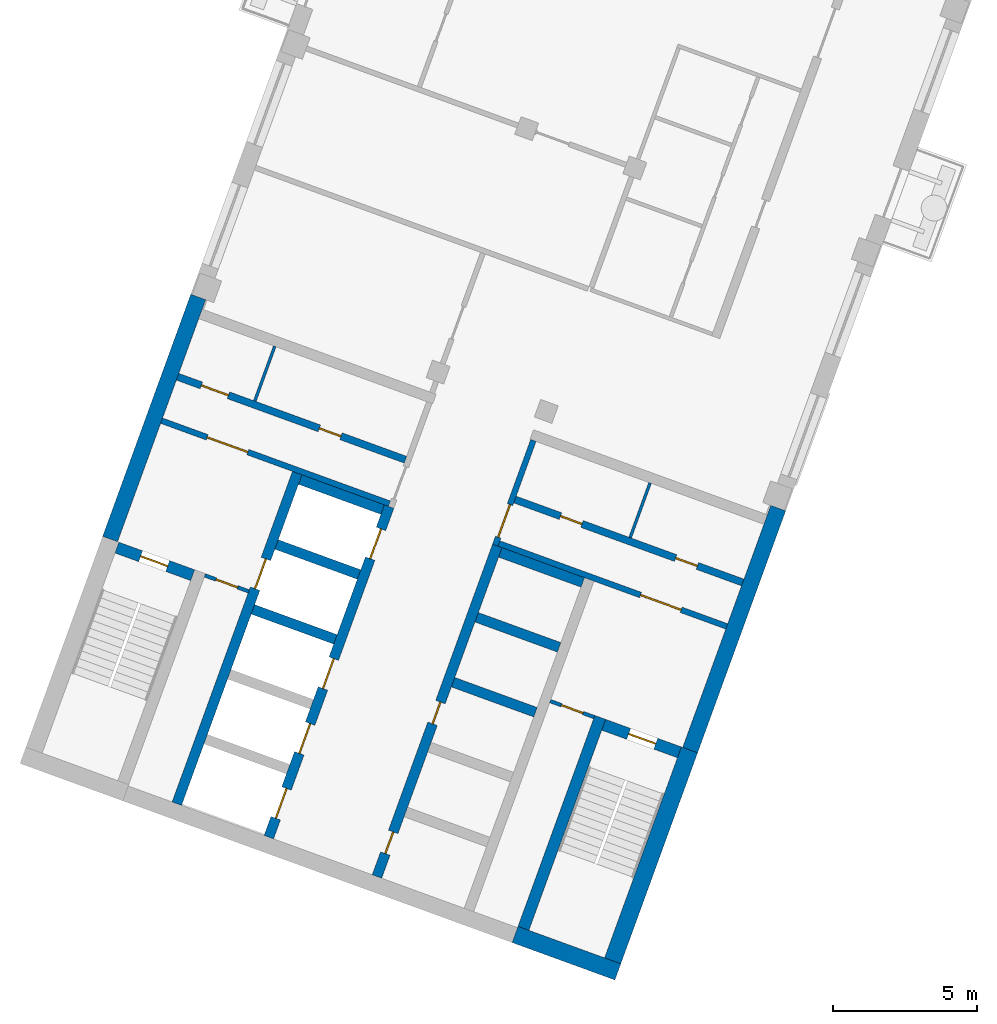
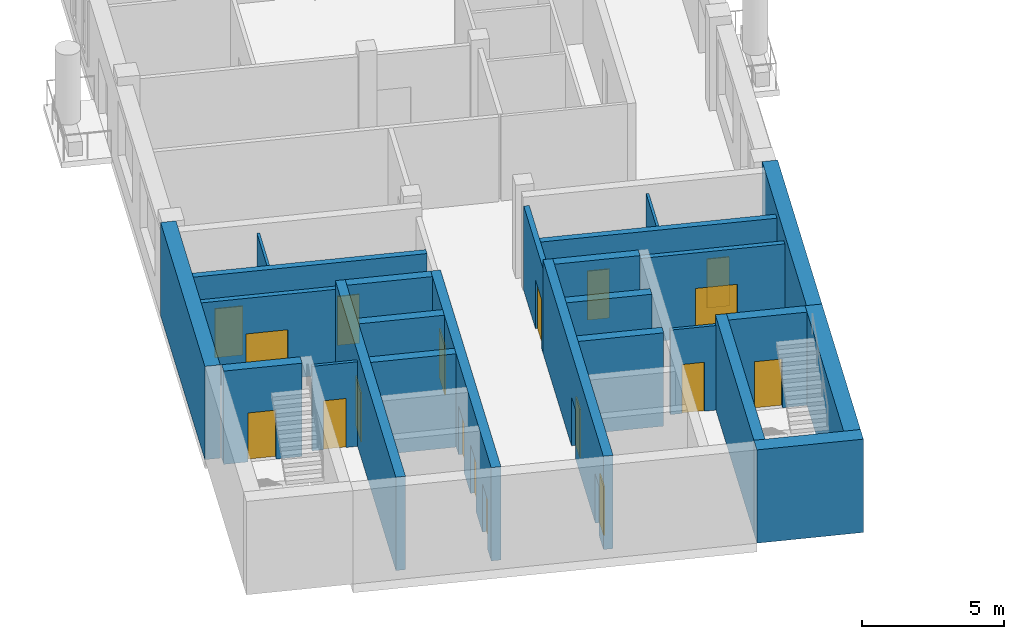
# One storey, part 2 of 11: 25 walls, 18 doors, 18 openings.
"""IFC4 building model written with IfcOpenShell, lengths in metres."""

from ifc_helpers import new_model, si_unit, direction, frame, frame_2d, origin, place, context, subcontext, project, spatial, rectangle, extrude, material, layer, layer_set, type_object, element, fill, save


model = new_model("IFC4")

# Units and contexts
model_context = context("Model", 3, precision=1e-05, world=origin(), true_north=direction((0.0, 1.0)))
body_context = subcontext(model_context, "Body", "Model", "MODEL_VIEW")
ifc_project = project(units=[si_unit("LENGTHUNIT", "METRE"), si_unit("AREAUNIT", "SQUARE_METRE"), si_unit("VOLUMEUNIT", "CUBIC_METRE"), si_unit("PLANEANGLEUNIT", "RADIAN"), si_unit("MASSUNIT", "GRAM", prefix="KILO")], contexts=[model_context])

# Site, building, storey
site_placement = place(None, origin())
site = spatial("IfcSite", under=ifc_project, at=site_placement, CompositionType="ELEMENT")
building_placement = place(site_placement, origin())
building = spatial("IfcBuilding", under=site, at=building_placement, Name="Skarvind Civic Tower", CompositionType="ELEMENT")
storey_placement = place(building_placement, frame((0.0, 0.0, 142.5)))
storey = spatial("IfcBuildingStorey", under=building, at=storey_placement, Name="L33", CompositionType="ELEMENT", Elevation=142.5)

# Wall, opening, door
ifc_material_1 = material(Name="Fire-rated masonry partition", Category="masonry")
ifc_layer_1 = layer(ifc_material_1, 0.199951171875)
ifc_layer_set_1 = layer_set([ifc_layer_1], Name="Core enclosure wall 200")
wall_type_1 = type_object("IfcWallType", Name="Core enclosure wall 200", PredefinedType="PARTITIONING", material=ifc_layer_set_1)
wall_1_placement = place(storey_placement, frame((23.482666015625, 96.68798828125, 0.0), z_axis=(0.0, 0.0, 1.0), x_axis=(0.939691007314, -0.342024576271, 0.0)))
wall_1 = element("IfcWall", 1, at=wall_1_placement, inside=storey, type_object=wall_type_1, Name="Core wall C2", PredefinedType="PARTITIONING", context=body_context, shape_type="SweptSolid", body=[
    extrude(rectangle(XDim=8.425048828125, YDim=0.199951171875, at=frame_2d((4.21240234375, 0.0))), origin(), (0.0, 0.0, 1.0), 3.625),
])
opening_1_placement = place(wall_1_placement, frame((1.6875, 0.0, 0.0)))
opening_1 = element("IfcOpeningElement", 2, at=opening_1_placement, cuts=wall_1, Name="Opening D-L33-C2-08", PredefinedType="OPENING", context=body_context, shape_type="SweptSolid", body=[
    extrude(rectangle(XDim=1.5, YDim=2.10009765625, at=frame_2d((0.75, 1.050048828125))), frame((0.0, 0.10986328125, 0.0), z_axis=(0.0, -1.0, 0.0), x_axis=(1.0, 0.0, 0.0)), (0.0, 0.0, 1.0), 0.219970703125),
])
ifc_material_2 = material(Name="Fire-rated steel door", Category="steel")
door_type_1 = type_object("IfcDoorType", Name="Fire door 1500", OperationType="NOTDEFINED", PredefinedType="DOOR", material=ifc_material_2)
door_1_placement = place(opening_1_placement, origin())
door_1 = element("IfcDoor", 3, at=door_1_placement, inside=storey, type_object=door_type_1, Name="Fire door", OperationType="DOUBLE_DOOR_SINGLE_SWING", OverallHeight=2.10009765625, OverallWidth=1.5, PredefinedType="DOOR", context=body_context, shape_type="SweptSolid", body=[
    extrude(rectangle(XDim=1.5, YDim=2.10009765625, at=frame_2d((0.75, 1.050048828125))), frame((0.0, 0.02490234375, 0.0), z_axis=(0.0, -1.0, 0.0), x_axis=(1.0, 0.0, 0.0)), (0.0, 0.0, 1.0), 0.050048828125),
])
fill(opening_1, door_1)

wall_2_placement = place(storey_placement, frame((36.402587890625, 96.0029296875, 0.0), z_axis=(0.0, 0.0, 1.0), x_axis=(-0.342041503764, -0.939684845947, 0.0)))
wall_2 = element("IfcWall", 4, at=wall_2_placement, inside=storey, type_object=wall_type_1, Name="Core wall C2", PredefinedType="PARTITIONING", context=body_context, shape_type="SweptSolid", body=[
    extrude(rectangle(XDim=3.875, YDim=0.199951171875, at=frame_2d((1.9375, 0.0))), origin(), (0.0, 0.0, 1.0), 3.625),
])
opening_2_placement = place(wall_2_placement, frame((2.375, 0.0, 0.0)))
opening_2 = element("IfcOpeningElement", 5, at=opening_2_placement, cuts=wall_2, Name="Opening D-L33-C2-13", PredefinedType="OPENING", context=body_context, shape_type="SweptSolid", body=[
    extrude(rectangle(XDim=1.199951171875, YDim=2.10009765625, at=frame_2d((0.60009765625, 1.050048828125))), frame((0.0, 0.10986328125, 0.0), z_axis=(0.0, -1.0, 0.0), x_axis=(1.0, 0.0, 0.0)), (0.0, 0.0, 1.0), 0.219970703125),
])
door_type_2 = type_object("IfcDoorType", Name="Core lobby door 1200", OperationType="NOTDEFINED", PredefinedType="DOOR", material=ifc_material_2)
door_2_placement = place(opening_2_placement, origin())
door_2 = element("IfcDoor", 6, at=door_2_placement, inside=storey, type_object=door_type_2, Name="Fire door", OperationType="DOUBLE_DOOR_SINGLE_SWING", OverallHeight=2.10009765625, OverallWidth=1.199951171875, PredefinedType="DOOR", context=body_context, shape_type="SweptSolid", body=[
    extrude(rectangle(XDim=1.199951171875, YDim=2.10009765625, at=frame_2d((0.60009765625, 1.050048828125))), frame((0.0, 0.02490234375, 0.0), z_axis=(0.0, -1.0, 0.0), x_axis=(1.0, 0.0, 0.0)), (0.0, 0.0, 1.0), 0.050048828125),
])
fill(opening_2, door_2)

wall_3_placement = place(storey_placement, frame((35.205322265625, 92.42138671875, 0.0), z_axis=(0.0, 0.0, 1.0), x_axis=(0.939691007314, -0.342024576271, 0.0)))
wall_3 = element("IfcWall", 7, at=wall_3_placement, inside=storey, type_object=wall_type_1, Name="Core wall C2", PredefinedType="PARTITIONING", context=body_context, shape_type="SweptSolid", body=[
    extrude(rectangle(XDim=8.425048828125, YDim=0.199951171875, at=frame_2d((4.21240234375, 0.0))), origin(), (0.0, 0.0, 1.0), 3.625),
])
opening_3_placement = place(wall_3_placement, frame((5.237548828125, 0.0, 0.0)))
opening_3 = element("IfcOpeningElement", 8, at=opening_3_placement, cuts=wall_3, Name="Opening D-L33-C2-14", PredefinedType="OPENING", context=body_context, shape_type="SweptSolid", body=[
    extrude(rectangle(XDim=1.5, YDim=2.10009765625, at=frame_2d((0.75, 1.050048828125))), frame((0.0, 0.10986328125, 0.0), z_axis=(0.0, -1.0, 0.0), x_axis=(1.0, 0.0, 0.0)), (0.0, 0.0, 1.0), 0.219970703125),
])
door_3_placement = place(opening_3_placement, origin())
door_3 = element("IfcDoor", 9, at=door_3_placement, inside=storey, type_object=door_type_1, Name="Fire door", OperationType="DOUBLE_DOOR_SINGLE_SWING", OverallHeight=2.10009765625, OverallWidth=1.5, PredefinedType="DOOR", context=body_context, shape_type="SweptSolid", body=[
    extrude(rectangle(XDim=1.5, YDim=2.10009765625, at=frame_2d((0.75, 1.050048828125))), frame((0.0, 0.02490234375, 0.0), z_axis=(0.0, -1.0, 0.0), x_axis=(1.0, 0.0, 0.0)), (0.0, 0.0, 1.0), 0.050048828125),
])
fill(opening_3, door_3)

# Walls
ifc_material_3 = material(Name="Fire-rated plasterboard partition")
ifc_layer_2 = layer(ifc_material_3, 0.10009765625)
ifc_layer_set_2 = layer_set([ifc_layer_2], Name="Core partition wall 100")
wall_type_2 = type_object("IfcWallType", Name="Core partition wall 100", PredefinedType="PARTITIONING", material=ifc_layer_set_2)
wall_4_placement = place(storey_placement, frame((26.7216796875, 97.371337890625, 0.0), z_axis=(0.0, 0.0, 1.0), x_axis=(0.342004391282, 0.939698353911, 0.0)))
element("IfcWall", 10, at=wall_4_placement, inside=storey, type_object=wall_type_2, Name="Core wall C2", PredefinedType="PARTITIONING", context=body_context, shape_type="SweptSolid", body=[
    extrude(rectangle(XDim=2.025146484375, YDim=0.10009765625, at=frame_2d((1.0126953125, 0.0))), origin(), (0.0, 0.0, 1.0), 3.625),
])
wall_5_placement = place(storey_placement, frame((40.457275390625, 94.527099609375, 0.0), z_axis=(0.0, 0.0, 1.0), x_axis=(-0.342043138314, -0.939684250976, 0.0)))
element("IfcWall", 11, at=wall_5_placement, inside=storey, type_object=wall_type_2, Name="Core wall C2", PredefinedType="PARTITIONING", context=body_context, shape_type="SweptSolid", body=[
    extrude(rectangle(XDim=2.02490234375, YDim=0.10009765625, at=frame_2d((1.012451171875, 0.0))), origin(), (0.0, 0.0, 1.0), 3.625),
])

# Wall, openings, doors
ifc_material_4 = material(Name="Concrete C60", Category="concrete")
ifc_layer_3 = layer(ifc_material_4, 0.35009765625)
ifc_layer_set_3 = layer_set([ifc_layer_3], Name="Core wall 350 C60")
wall_type_3 = type_object("IfcWallType", Name="Core wall 350 C60", PredefinedType="SHEAR", material=ifc_layer_set_3)
wall_6_placement = place(storey_placement, frame((30.966552734375, 80.84814453125, 0.0), z_axis=(0.0, 0.0, 1.0), x_axis=(0.34201563943, 0.939694260058, 0.0)))
wall_6 = element("IfcWall", 12, at=wall_6_placement, inside=storey, type_object=wall_type_3, Name="Core wall C2 south lift row front L33", PredefinedType="SHEAR", context=body_context, shape_type="SweptSolid", body=[
    extrude(rectangle(XDim=12.22509765625, YDim=0.35009765625, at=frame_2d((6.112548828125, 0.0))), origin(), (0.0, 0.0, 1.0), 4.0),
])
opening_4_placement = place(wall_6_placement, frame((0.85009765625, 0.0, 0.0)))
opening_4 = element("IfcOpeningElement", 13, at=opening_4_placement, cuts=wall_6, Name="Opening D-L33-C2-05", PredefinedType="OPENING", context=body_context, shape_type="SweptSolid", body=[
    extrude(rectangle(XDim=0.800048828125, YDim=2.10009765625, at=frame_2d((0.39990234375, 1.050048828125))), frame((0.0, 0.18505859375, 0.0), z_axis=(0.0, -1.0, 0.0), x_axis=(1.0, 0.0, 0.0)), (0.0, 0.0, 1.0), 0.3701171875),
])
opening_5_placement = place(wall_6_placement, frame((5.64990234375, 0.0, 0.0)))
opening_5 = element("IfcOpeningElement", 14, at=opening_5_placement, cuts=wall_6, Name="Opening D-L33-C2-06", PredefinedType="OPENING", context=body_context, shape_type="SweptSolid", body=[
    extrude(rectangle(XDim=0.800048828125, YDim=2.10009765625, at=frame_2d((0.39990234375, 1.050048828125))), frame((0.0, 0.18505859375, 0.0), z_axis=(0.0, -1.0, 0.0), x_axis=(1.0, 0.0, 0.0)), (0.0, 0.0, 1.0), 0.3701171875),
])
door_type_3 = type_object("IfcDoorType", Name="Core riser door 800", OperationType="NOTDEFINED", PredefinedType="DOOR", material=ifc_material_2)
door_4_placement = place(opening_4_placement, origin())
door_4 = element("IfcDoor", 15, at=door_4_placement, inside=storey, type_object=door_type_3, Name="Riser door", OperationType="SINGLE_SWING_LEFT", OverallHeight=2.10009765625, OverallWidth=0.800048828125, PredefinedType="DOOR", context=body_context, shape_type="SweptSolid", body=[
    extrude(rectangle(XDim=0.800048828125, YDim=2.10009765625, at=frame_2d((0.39990234375, 1.050048828125))), frame((0.0, 0.02490234375, 0.0), z_axis=(0.0, -1.0, 0.0), x_axis=(1.0, 0.0, 0.0)), (0.0, 0.0, 1.0), 0.050048828125),
])
fill(opening_4, door_4)
door_5_placement = place(opening_5_placement, origin())
door_5 = element("IfcDoor", 16, at=door_5_placement, inside=storey, type_object=door_type_3, Name="Riser door", OperationType="SINGLE_SWING_RIGHT", OverallHeight=2.10009765625, OverallWidth=0.800048828125, PredefinedType="DOOR", context=body_context, shape_type="SweptSolid", body=[
    extrude(rectangle(XDim=0.800048828125, YDim=2.10009765625, at=frame_2d((0.39990234375, 1.050048828125))), frame((0.0, 0.02490234375, 0.0), z_axis=(0.0, -1.0, 0.0), x_axis=(1.0, 0.0, 0.0)), (0.0, 0.0, 1.0), 0.050048828125),
])
fill(opening_5, door_5)

# Walls
for number, where, z_axis, x_axis, name in (
    (17, (36.4765625, 86.557861328125, 0.0), (0.0, 0.0, 1.0), (-0.939683528043, 0.3420451244, 0.0), "Core wall C2 south lift row division 3 L33"),
    (18, (37.297607421875, 88.813232421875, 0.0), (0.0, 0.0, 1.0), (-0.939692892192, 0.342019397644, 0.0), "Core wall C2 south lift row division 4 L33"),
    (19, (38.118408203125, 91.068359375, 0.0), (0.0, 0.0, 1.0), (-0.939692892192, 0.342019397644, 0.0), "Core wall C2 south lift row division 5 L33"),
):
    element("IfcWall", number, at=place(storey_placement, frame(where, z_axis=z_axis, x_axis=x_axis)), inside=storey, type_object=wall_type_3, Name=name, PredefinedType="SHEAR", context=body_context, shape_type="SweptSolid", body=[
        extrude(rectangle(XDim=3.050048828125, YDim=0.35009765625, at=frame_2d((1.52490234375, 0.0))), origin(), (0.0, 0.0, 1.0), 4.0),
    ])

# Wall, openings, doors
wall_7_placement = place(storey_placement, frame((27.207763671875, 82.21630859375, 0.0), z_axis=(0.0, 0.0, 1.0), x_axis=(0.34201563943, 0.939694260058, 0.0)))
wall_7 = element("IfcWall", 20, at=wall_7_placement, inside=storey, type_object=wall_type_3, Name="Core wall C2 north lift row front L33", PredefinedType="SHEAR", context=body_context, shape_type="SweptSolid", body=[
    extrude(rectangle(XDim=12.22509765625, YDim=0.35009765625, at=frame_2d((6.112548828125, 0.0))), origin(), (0.0, 0.0, 1.0), 4.0),
])
opening_6_placement = place(wall_7_placement, frame((0.699951171875, 0.0, 0.0)))
opening_6 = element("IfcOpeningElement", 21, at=opening_6_placement, cuts=wall_7, Name="Opening LD35201", PredefinedType="OPENING", context=body_context, shape_type="SweptSolid", body=[
    extrude(rectangle(XDim=1.10009765625, YDim=2.10009765625, at=frame_2d((0.550048828125, 1.050048828125))), frame((0.0, 0.18505859375, 0.0), z_axis=(0.0, -1.0, 0.0), x_axis=(1.0, 0.0, 0.0)), (0.0, 0.0, 1.0), 0.3701171875),
])
opening_7_placement = place(wall_7_placement, frame((3.10009765625, 0.0, 0.0)))
opening_7 = element("IfcOpeningElement", 22, at=opening_7_placement, cuts=wall_7, Name="Opening LD35202", PredefinedType="OPENING", context=body_context, shape_type="SweptSolid", body=[
    extrude(rectangle(XDim=1.10009765625, YDim=2.10009765625, at=frame_2d((0.550048828125, 1.050048828125))), frame((0.0, 0.18505859375, 0.0), z_axis=(0.0, -1.0, 0.0), x_axis=(1.0, 0.0, 0.0)), (0.0, 0.0, 1.0), 0.3701171875),
])
opening_8_placement = place(wall_7_placement, frame((5.5, 0.0, 0.0)))
opening_8 = element("IfcOpeningElement", 23, at=opening_8_placement, cuts=wall_7, Name="Opening LD35203", PredefinedType="OPENING", context=body_context, shape_type="SweptSolid", body=[
    extrude(rectangle(XDim=1.10009765625, YDim=2.10009765625, at=frame_2d((0.550048828125, 1.050048828125))), frame((0.0, 0.18505859375, 0.0), z_axis=(0.0, -1.0, 0.0), x_axis=(1.0, 0.0, 0.0)), (0.0, 0.0, 1.0), 0.3701171875),
])
opening_9_placement = place(wall_7_placement, frame((10.300048828125, 0.0, 0.0)))
opening_9 = element("IfcOpeningElement", 24, at=opening_9_placement, cuts=wall_7, Name="Opening LD35205", PredefinedType="OPENING", context=body_context, shape_type="SweptSolid", body=[
    extrude(rectangle(XDim=1.10009765625, YDim=2.10009765625, at=frame_2d((0.550048828125, 1.050048828125))), frame((0.0, 0.18505859375, 0.0), z_axis=(0.0, -1.0, 0.0), x_axis=(1.0, 0.0, 0.0)), (0.0, 0.0, 1.0), 0.3701171875),
])
ifc_material_5 = material(Name="Stainless steel landing door", Category="steel")
door_type_4 = type_object("IfcDoorType", Name="Lift landing door 1100", OperationType="DOUBLE_DOOR_SLIDING", PredefinedType="DOOR", material=ifc_material_5)
door_6_placement = place(opening_6_placement, origin())
door_6 = element("IfcDoor", 25, at=door_6_placement, inside=storey, type_object=door_type_4, Name="Lift landing door", OperationType="DOUBLE_DOOR_SLIDING", OverallHeight=2.10009765625, OverallWidth=1.10009765625, PredefinedType="DOOR", context=body_context, shape_type="SweptSolid", body=[
    extrude(rectangle(XDim=1.10009765625, YDim=2.10009765625, at=frame_2d((0.550048828125, 1.050048828125))), frame((0.0, 0.02490234375, 0.0), z_axis=(0.0, -1.0, 0.0), x_axis=(1.0, 0.0, 0.0)), (0.0, 0.0, 1.0), 0.050048828125),
])
fill(opening_6, door_6)
door_7_placement = place(opening_7_placement, origin())
door_7 = element("IfcDoor", 26, at=door_7_placement, inside=storey, type_object=door_type_4, Name="Lift landing door", OperationType="DOUBLE_DOOR_SLIDING", OverallHeight=2.10009765625, OverallWidth=1.10009765625, PredefinedType="DOOR", context=body_context, shape_type="SweptSolid", body=[
    extrude(rectangle(XDim=1.10009765625, YDim=2.10009765625, at=frame_2d((0.550048828125, 1.050048828125))), frame((0.0, 0.02490234375, 0.0), z_axis=(0.0, -1.0, 0.0), x_axis=(1.0, 0.0, 0.0)), (0.0, 0.0, 1.0), 0.050048828125),
])
fill(opening_7, door_7)
door_8_placement = place(opening_8_placement, origin())
door_8 = element("IfcDoor", 27, at=door_8_placement, inside=storey, type_object=door_type_4, Name="Lift landing door", OperationType="DOUBLE_DOOR_SLIDING", OverallHeight=2.10009765625, OverallWidth=1.10009765625, PredefinedType="DOOR", context=body_context, shape_type="SweptSolid", body=[
    extrude(rectangle(XDim=1.10009765625, YDim=2.10009765625, at=frame_2d((0.550048828125, 1.050048828125))), frame((0.0, 0.02490234375, 0.0), z_axis=(0.0, -1.0, 0.0), x_axis=(1.0, 0.0, 0.0)), (0.0, 0.0, 1.0), 0.050048828125),
])
fill(opening_8, door_8)
door_9_placement = place(opening_9_placement, origin())
door_9 = element("IfcDoor", 28, at=door_9_placement, inside=storey, type_object=door_type_4, Name="Lift landing door", OperationType="DOUBLE_DOOR_SLIDING", OverallHeight=2.10009765625, OverallWidth=1.10009765625, PredefinedType="DOOR", context=body_context, shape_type="SweptSolid", body=[
    extrude(rectangle(XDim=1.10009765625, YDim=2.10009765625, at=frame_2d((0.550048828125, 1.050048828125))), frame((0.0, 0.02490234375, 0.0), z_axis=(0.0, -1.0, 0.0), x_axis=(1.0, 0.0, 0.0)), (0.0, 0.0, 1.0), 0.050048828125),
])
fill(opening_9, door_9)

# Wall, opening, door
wall_8_placement = place(storey_placement, frame((24.0126953125, 83.379150390625, 0.0), z_axis=(0.0, 0.0, 1.0), x_axis=(0.34201563943, 0.939694260058, 0.0)))
wall_8 = element("IfcWall", 29, at=wall_8_placement, inside=storey, type_object=wall_type_3, Name="Core wall C2 north lift row back L33", PredefinedType="SHEAR", context=body_context, shape_type="SweptSolid", body=[
    extrude(rectangle(XDim=12.22509765625, YDim=0.35009765625, at=frame_2d((6.112548828125, 0.0))), origin(), (0.0, 0.0, 1.0), 4.0),
])
opening_10_placement = place(wall_8_placement, frame((7.949951171875, 0.0, 0.0)))
opening_10 = element("IfcOpeningElement", 30, at=opening_10_placement, cuts=wall_8, Name="Opening LD35204", PredefinedType="OPENING", context=body_context, shape_type="SweptSolid", body=[
    extrude(rectangle(XDim=1.10009765625, YDim=2.10009765625, at=frame_2d((0.550048828125, 1.050048828125))), frame((0.0, 0.18505859375, 0.0), z_axis=(0.0, -1.0, 0.0), x_axis=(1.0, 0.0, 0.0)), (0.0, 0.0, 1.0), 0.3701171875),
])
door_10_placement = place(opening_10_placement, origin())
door_10 = element("IfcDoor", 31, at=door_10_placement, inside=storey, type_object=door_type_4, Name="Lift landing door", OperationType="DOUBLE_DOOR_SLIDING", OverallHeight=2.10009765625, OverallWidth=1.10009765625, PredefinedType="DOOR", context=body_context, shape_type="SweptSolid", body=[
    extrude(rectangle(XDim=1.10009765625, YDim=2.10009765625, at=frame_2d((0.550048828125, 1.050048828125))), frame((0.0, 0.02490234375, 0.0), z_axis=(0.0, -1.0, 0.0), x_axis=(1.0, 0.0, 0.0)), (0.0, 0.0, 1.0), 0.050048828125),
])
fill(opening_10, door_10)

# Walls
wall_9_placement = place(storey_placement, frame((29.52294921875, 89.0888671875, 0.0), z_axis=(0.0, 0.0, 1.0), x_axis=(-0.939692892192, 0.342019397644, 0.0)))
element("IfcWall", 32, at=wall_9_placement, inside=storey, type_object=wall_type_3, Name="Core wall C2 north lift row division 3 L33", PredefinedType="SHEAR", context=body_context, shape_type="SweptSolid", body=[
    extrude(rectangle(XDim=3.050048828125, YDim=0.35009765625, at=frame_2d((1.52490234375, 0.0))), origin(), (0.0, 0.0, 1.0), 4.0),
])
wall_10_placement = place(storey_placement, frame((30.34375, 91.34423828125, 0.0), z_axis=(0.0, 0.0, 1.0), x_axis=(-0.939709254651, 0.341974438698, 0.0)))
element("IfcWall", 33, at=wall_10_placement, inside=storey, type_object=wall_type_3, Name="Core wall C2 north lift row division 4 L33", PredefinedType="SHEAR", context=body_context, shape_type="SweptSolid", body=[
    extrude(rectangle(XDim=3.0498046875, YDim=0.35009765625, at=frame_2d((1.52490234375, 0.0))), origin(), (0.0, 0.0, 1.0), 4.0),
])
wall_11_placement = place(storey_placement, frame((31.16455078125, 93.599365234375, 0.0), z_axis=(0.0, 0.0, 1.0), x_axis=(-0.939683528043, 0.3420451244, 0.0)))
element("IfcWall", 34, at=wall_11_placement, inside=storey, type_object=wall_type_3, Name="Core wall C2 north lift row division 5 L33", PredefinedType="SHEAR", context=body_context, shape_type="SweptSolid", body=[
    extrude(rectangle(XDim=3.050048828125, YDim=0.35009765625, at=frame_2d((1.52490234375, 0.0))), origin(), (0.0, 0.0, 1.0), 4.0),
])
ifc_layer_4 = layer(ifc_material_4, 0.39990234375)
ifc_layer_set_4 = layer_set([ifc_layer_4], Name="Core wall 400 C60")
wall_type_4 = type_object("IfcWallType", Name="Core wall 400 C60", PredefinedType="SHEAR", material=ifc_layer_set_4)
wall_12_placement = place(storey_placement, frame((36.057861328125, 79.04833984375, 0.0), z_axis=(0.0, 0.0, 1.0), x_axis=(0.342016982193, 0.939693771338, 0.0)))
element("IfcWall", 35, at=wall_12_placement, inside=storey, type_object=wall_type_4, Name="Core wall C2 south stair inner L33", PredefinedType="SHEAR", context=body_context, shape_type="SweptSolid", body=[
    extrude(rectangle(XDim=7.800048828125, YDim=0.39990234375, at=frame_2d((3.89990234375, 0.0))), origin(), (0.0, 0.0, 1.0), 4.0),
])

# Wall, opening, door
wall_13_placement = place(storey_placement, frame((41.476318359375, 85.163818359375, 0.0), z_axis=(0.0, 0.0, 1.0), x_axis=(-0.939678810556, 0.342058084236, 0.0)))
wall_13 = element("IfcWall", 36, at=wall_13_placement, inside=storey, type_object=wall_type_4, Name="Core wall C2 south stair end L33", PredefinedType="SHEAR", context=body_context, shape_type="SweptSolid", body=[
    extrude(rectangle(XDim=2.800048828125, YDim=0.39990234375, at=frame_2d((1.39990234375, 0.0))), origin(), (0.0, 0.0, 1.0), 4.0),
])
opening_11_placement = place(wall_13_placement, frame((0.875, 0.0, 0.0)))
opening_11 = element("IfcOpeningElement", 37, at=opening_11_placement, cuts=wall_13, Name="Opening D-L33-C2-15", PredefinedType="OPENING", context=body_context, shape_type="SweptSolid", body=[
    extrude(rectangle(XDim=1.0, YDim=2.10009765625, at=frame_2d((0.5, 1.050048828125))), frame((0.0, 0.2099609375, 0.0), z_axis=(0.0, -1.0, 0.0), x_axis=(1.0, 0.0, 0.0)), (0.0, 0.0, 1.0), 0.419921875),
])
door_type_5 = type_object("IfcDoorType", Name="Fire door 1000", OperationType="NOTDEFINED", PredefinedType="DOOR", material=ifc_material_2)
door_11_placement = place(opening_11_placement, origin())
door_11 = element("IfcDoor", 38, at=door_11_placement, inside=storey, type_object=door_type_5, Name="Fire door", OperationType="SINGLE_SWING_RIGHT", OverallHeight=2.10009765625, OverallWidth=1.0, PredefinedType="DOOR", context=body_context, shape_type="SweptSolid", body=[
    extrude(rectangle(XDim=1.0, YDim=2.10009765625, at=frame_2d((0.5, 1.050048828125))), frame((0.0, 0.02490234375, 0.0), z_axis=(0.0, -1.0, 0.0), x_axis=(1.0, 0.0, 0.0)), (0.0, 0.0, 1.0), 0.050048828125),
])
fill(opening_11, door_11)

wall_14_placement = place(storey_placement, frame((24.56201171875, 91.3203125, 0.0), z_axis=(0.0, 0.0, 1.0), x_axis=(-0.939717030584, 0.341953070509, 0.0)))
wall_14 = element("IfcWall", 39, at=wall_14_placement, inside=storey, type_object=wall_type_4, Name="Core wall C2 north stair end L33", PredefinedType="SHEAR", context=body_context, shape_type="SweptSolid", body=[
    extrude(rectangle(XDim=2.800048828125, YDim=0.39990234375, at=frame_2d((1.39990234375, 0.0))), origin(), (0.0, 0.0, 1.0), 4.0),
])
opening_12_placement = place(wall_14_placement, frame((0.925048828125, 0.0, 0.0)))
opening_12 = element("IfcOpeningElement", 40, at=opening_12_placement, cuts=wall_14, Name="Opening D-L33-C2-09", PredefinedType="OPENING", context=body_context, shape_type="SweptSolid", body=[
    extrude(rectangle(XDim=1.0, YDim=2.10009765625, at=frame_2d((0.5, 1.050048828125))), frame((0.0, 0.2099609375, 0.0), z_axis=(0.0, -1.0, 0.0), x_axis=(1.0, 0.0, 0.0)), (0.0, 0.0, 1.0), 0.419921875),
])
door_12_placement = place(opening_12_placement, origin())
door_12 = element("IfcDoor", 41, at=door_12_placement, inside=storey, type_object=door_type_5, Name="Fire door", OperationType="SINGLE_SWING_LEFT", OverallHeight=2.10009765625, OverallWidth=1.0, PredefinedType="DOOR", context=body_context, shape_type="SweptSolid", body=[
    extrude(rectangle(XDim=1.0, YDim=2.10009765625, at=frame_2d((0.5, 1.050048828125))), frame((0.0, 0.02490234375, 0.0), z_axis=(0.0, -1.0, 0.0), x_axis=(1.0, 0.0, 0.0)), (0.0, 0.0, 1.0), 0.050048828125),
])
fill(opening_12, door_12)

# Walls
ifc_layer_5 = layer(ifc_material_4, 0.550048828125)
ifc_layer_set_5 = layer_set([ifc_layer_5], Name="Core wall 550 C60")
wall_type_5 = type_object("IfcWallType", Name="Core wall 550 C60", PredefinedType="SHEAR", material=ifc_layer_set_5)
wall_15_placement = place(storey_placement, frame((41.85009765625, 85.24072265625, 0.0), z_axis=(0.0, 0.0, 1.0), x_axis=(0.34201902012, 0.939693029598, 0.0)))
element("IfcWall", 42, at=wall_15_placement, inside=storey, type_object=wall_type_5, Name="Core wall C2 south side L33", PredefinedType="SHEAR", context=body_context, shape_type="SweptSolid", body=[
    extrude(rectangle(XDim=8.949951171875, YDim=0.550048828125, at=frame_2d((4.47509765625, 0.0))), origin(), (0.0, 0.0, 1.0), 4.0),
])
wall_16_placement = place(storey_placement, frame((21.69384765625, 92.576904296875, 0.0), z_axis=(0.0, 0.0, 1.0), x_axis=(0.342010253184, 0.939696220444, 0.0)))
element("IfcWall", 43, at=wall_16_placement, inside=storey, type_object=wall_type_5, Name="Core wall C2 north side L33", PredefinedType="SHEAR", context=body_context, shape_type="SweptSolid", body=[
    extrude(rectangle(XDim=8.9501953125, YDim=0.550048828125, at=frame_2d((4.47509765625, 0.0))), origin(), (0.0, 0.0, 1.0), 4.0),
])
ifc_layer_6 = layer(ifc_material_4, 0.60009765625)
ifc_layer_set_6 = layer_set([ifc_layer_6], Name="Core wall 600 C60")
wall_type_6 = type_object("IfcWallType", Name="Core wall 600 C60", PredefinedType="SHEAR", material=ifc_layer_set_6)
wall_17_placement = place(storey_placement, frame((39.338134765625, 77.53515625, 0.0), z_axis=(0.0, 0.0, 1.0), x_axis=(-0.939701471648, 0.341995824804, 0.0)))
element("IfcWall", 44, at=wall_17_placement, inside=storey, type_object=wall_type_6, Name="Core wall C2 tip at the south stair L33", PredefinedType="SHEAR", context=body_context, shape_type="SweptSolid", body=[
    extrude(rectangle(XDim=3.800048828125, YDim=0.60009765625, at=frame_2d((1.89990234375, 0.0))), origin(), (0.0, 0.0, 1.0), 4.0),
])
wall_18_placement = place(storey_placement, frame((39.158935546875, 77.919677734375, 0.0), z_axis=(0.0, 0.0, 1.0), x_axis=(0.342016982193, 0.939693771338, 0.0)))
element("IfcWall", 45, at=wall_18_placement, inside=storey, type_object=wall_type_6, Name="Core wall C2 south side at the stair L33", PredefinedType="SHEAR", context=body_context, shape_type="SweptSolid", body=[
    extrude(rectangle(XDim=7.800048828125, YDim=0.60009765625, at=frame_2d((3.89990234375, 0.0))), origin(), (0.0, 0.0, 1.0), 4.0),
])

# Wall, opening, door
ifc_layer_7 = layer(ifc_material_1, 0.125)
ifc_layer_set_7 = layer_set([ifc_layer_7], Name="Riser wall 125")
wall_type_7 = type_object("IfcWallType", Name="Riser wall 125", PredefinedType="PARTITIONING", material=ifc_layer_set_7)
wall_19_placement = place(storey_placement, frame((24.98486328125, 91.3125, 0.0), z_axis=(0.0, 0.0, 1.0), x_axis=(0.939705651352, -0.341984340019, 0.0)))
wall_19 = element("IfcWall", 46, at=wall_19_placement, inside=storey, type_object=wall_type_7, Name="Core wall C2", PredefinedType="PARTITIONING", context=body_context, shape_type="SweptSolid", body=[
    extrude(rectangle(XDim=1.624755859375, YDim=0.125, at=frame_2d((0.8125, 0.0))), origin(), (0.0, 0.0, 1.0), 3.625),
])
opening_13_placement = place(wall_19_placement, frame((0.41259765625, 0.0, 0.0)))
opening_13 = element("IfcOpeningElement", 47, at=opening_13_placement, cuts=wall_19, Name="Opening D-L33-C2-10", PredefinedType="OPENING", context=body_context, shape_type="SweptSolid", body=[
    extrude(rectangle(XDim=0.800048828125, YDim=2.10009765625, at=frame_2d((0.39990234375, 1.050048828125))), frame((0.0, 0.072509765625, 0.0), z_axis=(0.0, -1.0, 0.0), x_axis=(1.0, 0.0, 0.0)), (0.0, 0.0, 1.0), 0.14501953125),
])
door_13_placement = place(opening_13_placement, origin())
door_13 = element("IfcDoor", 48, at=door_13_placement, inside=storey, type_object=door_type_3, Name="Riser door", OperationType="SINGLE_SWING_RIGHT", OverallHeight=2.10009765625, OverallWidth=0.800048828125, PredefinedType="DOOR", context=body_context, shape_type="SweptSolid", body=[
    extrude(rectangle(XDim=0.800048828125, YDim=2.10009765625, at=frame_2d((0.39990234375, 1.050048828125))), frame((0.0, 0.02490234375, 0.0), z_axis=(0.0, -1.0, 0.0), x_axis=(1.0, 0.0, 0.0)), (0.0, 0.0, 1.0), 0.050048828125),
])
fill(opening_13, door_13)

wall_20_placement = place(storey_placement, frame((36.989501953125, 86.943359375, 0.0), z_axis=(0.0, 0.0, 1.0), x_axis=(0.939657357267, -0.342117013511, 0.0)))
wall_20 = element("IfcWall", 49, at=wall_20_placement, inside=storey, type_object=wall_type_7, Name="Core wall C2", PredefinedType="PARTITIONING", context=body_context, shape_type="SweptSolid", body=[
    extrude(rectangle(XDim=1.625, YDim=0.125, at=frame_2d((0.8125, 0.0))), origin(), (0.0, 0.0, 1.0), 3.625),
])
opening_14_placement = place(wall_20_placement, frame((0.41259765625, 0.0, 0.0)))
opening_14 = element("IfcOpeningElement", 50, at=opening_14_placement, cuts=wall_20, Name="Opening D-L33-C2-16", PredefinedType="OPENING", context=body_context, shape_type="SweptSolid", body=[
    extrude(rectangle(XDim=0.800048828125, YDim=2.10009765625, at=frame_2d((0.39990234375, 1.050048828125))), frame((0.0, 0.072509765625, 0.0), z_axis=(0.0, -1.0, 0.0), x_axis=(1.0, 0.0, 0.0)), (0.0, 0.0, 1.0), 0.14501953125),
])
door_14_placement = place(opening_14_placement, origin())
door_14 = element("IfcDoor", 51, at=door_14_placement, inside=storey, type_object=door_type_3, Name="Riser door", OperationType="SINGLE_SWING_LEFT", OverallHeight=2.10009765625, OverallWidth=0.800048828125, PredefinedType="DOOR", context=body_context, shape_type="SweptSolid", body=[
    extrude(rectangle(XDim=0.800048828125, YDim=2.10009765625, at=frame_2d((0.39990234375, 1.050048828125))), frame((0.0, 0.02490234375, 0.0), z_axis=(0.0, -1.0, 0.0), x_axis=(1.0, 0.0, 0.0)), (0.0, 0.0, 1.0), 0.050048828125),
])
fill(opening_14, door_14)

# Wall, openings, doors
ifc_layer_8 = layer(ifc_material_1, 0.25)
ifc_layer_set_8 = layer_set([ifc_layer_8], Name="Service block wall 250")
wall_type_8 = type_object("IfcWallType", Name="Service block wall 250", PredefinedType="PARTITIONING", material=ifc_layer_set_8)
wall_21_placement = place(storey_placement, frame((24.03857421875, 98.215087890625, 0.0), z_axis=(0.0, 0.0, 1.0), x_axis=(0.939687617333, -0.342033889887, 0.0)))
wall_21 = element("IfcWall", 52, at=wall_21_placement, inside=storey, type_object=wall_type_8, Name="Core wall C2", PredefinedType="PARTITIONING", context=body_context, shape_type="SweptSolid", body=[
    extrude(rectangle(XDim=8.4248046875, YDim=0.25, at=frame_2d((4.21240234375, 0.0))), origin(), (0.0, 0.0, 1.0), 3.625),
])
opening_15_placement = place(wall_21_placement, frame((5.242431640625, 0.0, 0.0)))
opening_15 = element("IfcOpeningElement", 53, at=opening_15_placement, cuts=wall_21, Name="Opening D-L33-C2-11", PredefinedType="OPENING", context=body_context, shape_type="SweptSolid", body=[
    extrude(rectangle(XDim=0.800048828125, YDim=2.10009765625, at=frame_2d((0.39990234375, 1.050048828125))), frame((0.0, 0.135009765625, 0.0), z_axis=(0.0, -1.0, 0.0), x_axis=(1.0, 0.0, 0.0)), (0.0, 0.0, 1.0), 0.27001953125),
])
opening_16_placement = place(wall_21_placement, frame((0.8798828125, 0.0, 0.0)))
opening_16 = element("IfcOpeningElement", 54, at=opening_16_placement, cuts=wall_21, Name="Opening D-L33-C2-12", PredefinedType="OPENING", context=body_context, shape_type="SweptSolid", body=[
    extrude(rectangle(XDim=1.0, YDim=2.10009765625, at=frame_2d((0.5, 1.050048828125))), frame((0.0, 0.135009765625, 0.0), z_axis=(0.0, -1.0, 0.0), x_axis=(1.0, 0.0, 0.0)), (0.0, 0.0, 1.0), 0.27001953125),
])
door_15_placement = place(opening_15_placement, origin())
door_15 = element("IfcDoor", 55, at=door_15_placement, inside=storey, type_object=door_type_3, Name="Riser door", OperationType="SINGLE_SWING_LEFT", OverallHeight=2.10009765625, OverallWidth=0.800048828125, PredefinedType="DOOR", context=body_context, shape_type="SweptSolid", body=[
    extrude(rectangle(XDim=0.800048828125, YDim=2.10009765625, at=frame_2d((0.39990234375, 1.050048828125))), frame((0.0, 0.02490234375, 0.0), z_axis=(0.0, -1.0, 0.0), x_axis=(1.0, 0.0, 0.0)), (0.0, 0.0, 1.0), 0.050048828125),
])
fill(opening_15, door_15)
door_16_placement = place(opening_16_placement, origin())
door_16 = element("IfcDoor", 56, at=door_16_placement, inside=storey, type_object=door_type_5, Name="Fire door", OperationType="SINGLE_SWING_RIGHT", OverallHeight=2.10009765625, OverallWidth=1.0, PredefinedType="DOOR", context=body_context, shape_type="SweptSolid", body=[
    extrude(rectangle(XDim=1.0, YDim=2.10009765625, at=frame_2d((0.5, 1.050048828125))), frame((0.0, 0.02490234375, 0.0), z_axis=(0.0, -1.0, 0.0), x_axis=(1.0, 0.0, 0.0)), (0.0, 0.0, 1.0), 0.050048828125),
])
fill(opening_16, door_16)

wall_22_placement = place(storey_placement, frame((35.76123046875, 93.9482421875, 0.0), z_axis=(0.0, 0.0, 1.0), x_axis=(0.93969693093, -0.342008301071, 0.0)))
wall_22 = element("IfcWall", 57, at=wall_22_placement, inside=storey, type_object=wall_type_8, Name="Core wall C2", PredefinedType="PARTITIONING", context=body_context, shape_type="SweptSolid", body=[
    extrude(rectangle(XDim=8.4248046875, YDim=0.25, at=frame_2d((4.21240234375, 0.0))), origin(), (0.0, 0.0, 1.0), 3.625),
])
opening_17_placement = place(wall_22_placement, frame((1.6826171875, 0.0, 0.0)))
opening_17 = element("IfcOpeningElement", 58, at=opening_17_placement, cuts=wall_22, Name="Opening D-L33-C2-17", PredefinedType="OPENING", context=body_context, shape_type="SweptSolid", body=[
    extrude(rectangle(XDim=0.800048828125, YDim=2.10009765625, at=frame_2d((0.39990234375, 1.050048828125))), frame((0.0, 0.135009765625, 0.0), z_axis=(0.0, -1.0, 0.0), x_axis=(1.0, 0.0, 0.0)), (0.0, 0.0, 1.0), 0.27001953125),
])
opening_18_placement = place(wall_22_placement, frame((5.945068359375, 0.0, 0.0)))
opening_18 = element("IfcOpeningElement", 59, at=opening_18_placement, cuts=wall_22, Name="Opening D-L33-C2-18", PredefinedType="OPENING", context=body_context, shape_type="SweptSolid", body=[
    extrude(rectangle(XDim=0.800048828125, YDim=2.10009765625, at=frame_2d((0.39990234375, 1.050048828125))), frame((0.0, 0.135009765625, 0.0), z_axis=(0.0, -1.0, 0.0), x_axis=(1.0, 0.0, 0.0)), (0.0, 0.0, 1.0), 0.27001953125),
])
door_17_placement = place(opening_17_placement, origin())
door_17 = element("IfcDoor", 60, at=door_17_placement, inside=storey, type_object=door_type_3, Name="Riser door", OperationType="SINGLE_SWING_RIGHT", OverallHeight=2.10009765625, OverallWidth=0.800048828125, PredefinedType="DOOR", context=body_context, shape_type="SweptSolid", body=[
    extrude(rectangle(XDim=0.800048828125, YDim=2.10009765625, at=frame_2d((0.39990234375, 1.050048828125))), frame((0.0, 0.02490234375, 0.0), z_axis=(0.0, -1.0, 0.0), x_axis=(1.0, 0.0, 0.0)), (0.0, 0.0, 1.0), 0.050048828125),
])
fill(opening_17, door_17)
door_18_placement = place(opening_18_placement, origin())
door_18 = element("IfcDoor", 61, at=door_18_placement, inside=storey, type_object=door_type_3, Name="Riser door", OperationType="SINGLE_SWING_LEFT", OverallHeight=2.10009765625, OverallWidth=0.800048828125, PredefinedType="DOOR", context=body_context, shape_type="SweptSolid", body=[
    extrude(rectangle(XDim=0.800048828125, YDim=2.10009765625, at=frame_2d((0.39990234375, 1.050048828125))), frame((0.0, 0.02490234375, 0.0), z_axis=(0.0, -1.0, 0.0), x_axis=(1.0, 0.0, 0.0)), (0.0, 0.0, 1.0), 0.050048828125),
])
fill(opening_18, door_18)

save(model, "model.ifc")
